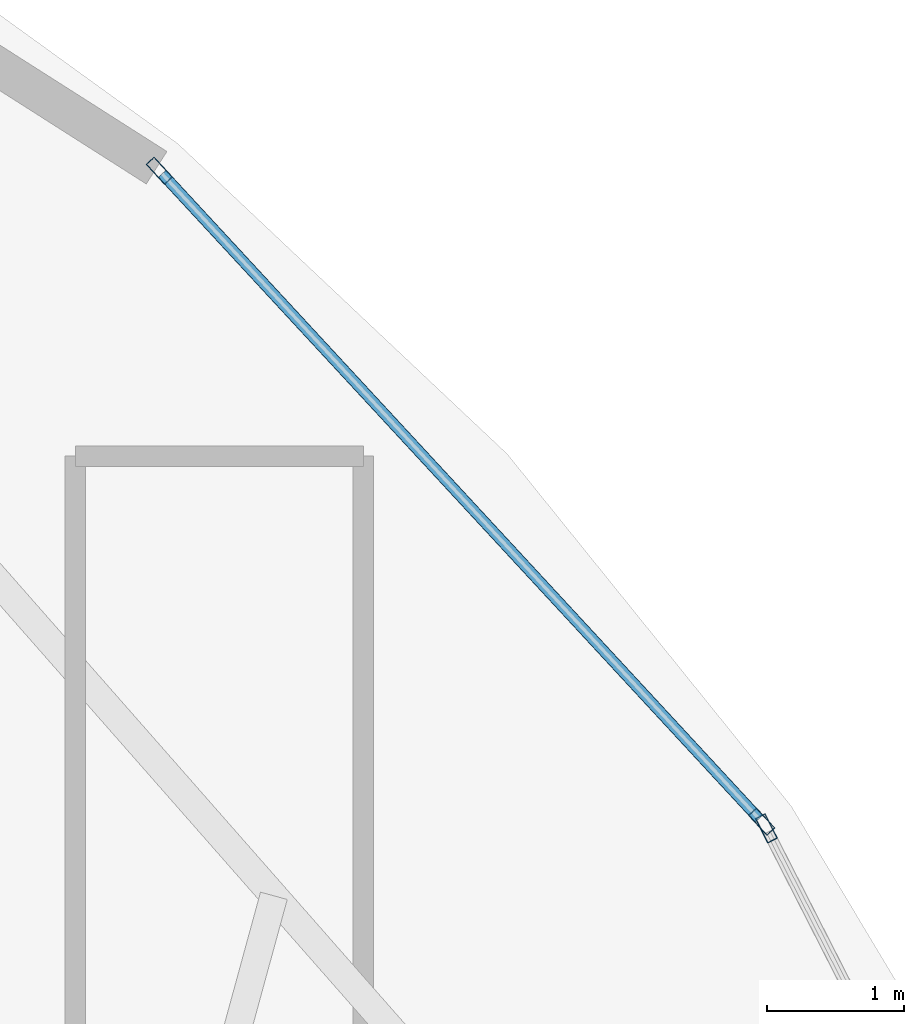
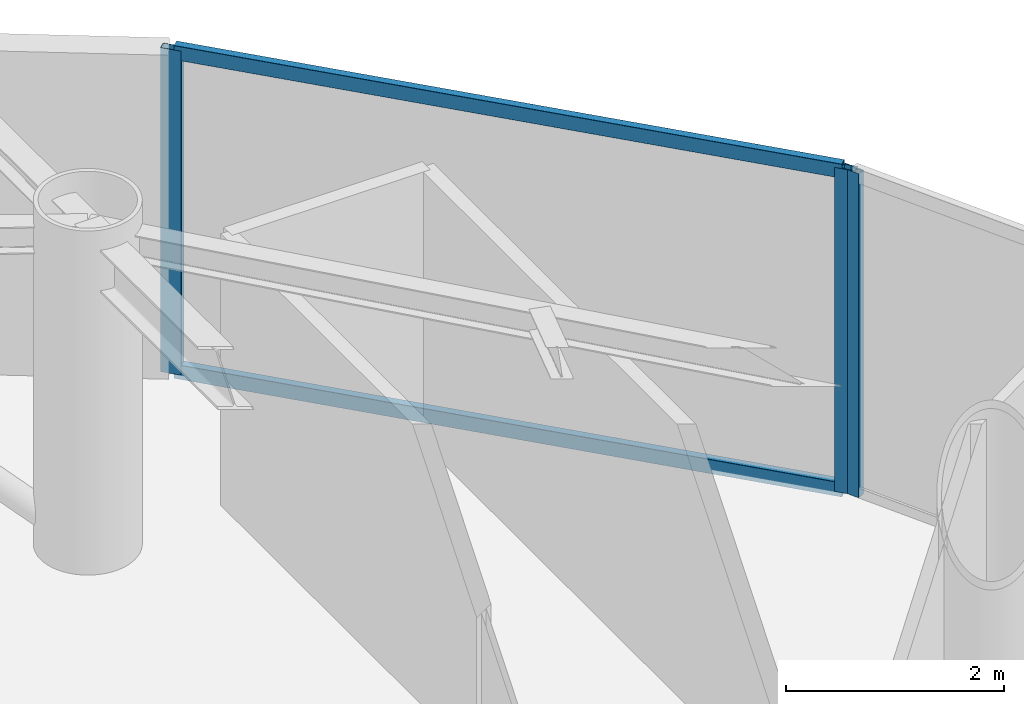
# One storey, part 15 of 22: 5 members, 2 elements without a shape of their own.
"""IFC4 building model written with IfcOpenShell, lengths in metres."""

from ifc_helpers import new_model, si_unit, direction, frame, origin, origin_2d, place, context, subcontext, project, spatial, hollow_rectangle, extrude, material, layer, layer_set, material_profile, profile_set, type_object, element, aggregate, save


model = new_model("IFC4")

# Units and contexts
model_context = context("Model", 3, precision=1e-05, world=origin(), true_north=direction((0.0, 1.0)))
body_context = subcontext(model_context, "Body", "Model", "MODEL_VIEW")
ifc_project = project(units=[si_unit("LENGTHUNIT", "METRE"), si_unit("AREAUNIT", "SQUARE_METRE"), si_unit("VOLUMEUNIT", "CUBIC_METRE"), si_unit("PLANEANGLEUNIT", "RADIAN"), si_unit("MASSUNIT", "GRAM", prefix="KILO")], contexts=[model_context])

# Site, building, storey
site_placement = place(None, origin())
site = spatial("IfcSite", under=ifc_project, at=site_placement, CompositionType="ELEMENT")
building_placement = place(site_placement, origin())
building = spatial("IfcBuilding", under=site, at=building_placement, Name="Bramvorn Convention Spire", CompositionType="ELEMENT")
storey_placement = place(building_placement, frame((0.0, 0.0, 253.60009765625)))
storey = spatial("IfcBuildingStorey", under=building, at=storey_placement, Name="L64", CompositionType="ELEMENT", Elevation=253.60009765625)

# Curtain wall, member
ifc_material_1 = material(Name="Anodised Bronze Unitised Curtain Wall", Category="aluminium")
ifc_layer = layer(ifc_material_1, 0.179931640625)
ifc_layer_set = layer_set([ifc_layer], Name="Anodised Bronze Unitised Curtain Wall - CW-OFF-FRIT")
curtain_wall_type = type_object("IfcCurtainWallType", Name="CW-OFF-FRIT", PredefinedType="USERDEFINED", material=ifc_layer_set)
curtain_wall_1_placement = place(storey_placement, origin())
curtain_wall_1 = element("IfcCurtainWall", 1, at=curtain_wall_1_placement, inside=storey, type_object=curtain_wall_type, Name="L64 fritted glass curtain wall 06", ObjectType="UNITISED CURTAIN WALL", PredefinedType="USERDEFINED")
ifc_material_2 = material(Name="Anodised Bronze Aluminium 6063-T6", Category="aluminium")
ifc_material_profile_1 = material_profile(ifc_material_2, hollow_rectangle(XDim=0.080078125, YDim=0.199951171875, WallThickness=0.00390625, InnerFilletRadius=0.0009765625, OuterFilletRadius=0.00390625, at=origin_2d()))
ifc_profile_set_1 = profile_set([ifc_material_profile_1], Name="Anodised Bronze Aluminium 6063-T6 - CWM80X200")
member_type_1 = type_object("IfcMemberType", Name="CW-MUL-180", PredefinedType="MULLION", material=ifc_profile_set_1)
member_1_placement = place(storey_placement, frame((54.138916015625, 38.685546875, 0.0), z_axis=(0.0, 0.0, 1.0), x_axis=(0.890856910511, 0.45428401358, 0.0)))
member_1 = element("IfcMember", 2, at=member_1_placement, type_object=member_type_1, Name="CW3 mullion 1", PredefinedType="MULLION", context=body_context, shape_type="SweptSolid", body=[
    extrude(hollow_rectangle(XDim=0.080078125, YDim=0.199951171875, WallThickness=0.00390625, InnerFilletRadius=0.0009765625, OuterFilletRadius=0.00390625, at=origin_2d()), origin(), (0.0, 0.0, 1.0), 3.625),
])
aggregate(curtain_wall_1, [member_1])

# Curtain wall, members
curtain_wall_2_placement = place(storey_placement, origin())
curtain_wall_2 = element("IfcCurtainWall", 3, at=curtain_wall_2_placement, inside=storey, type_object=curtain_wall_type, Name="L64 fritted glass curtain wall 07", ObjectType="UNITISED CURTAIN WALL", PredefinedType="USERDEFINED")
member_2_placement = place(storey_placement, frame((49.71240234375, 43.480712890625, 0.0), z_axis=(0.0, 0.0, 1.0), x_axis=(0.733948200999, 0.679205446275, 0.0)))
member_2 = element("IfcMember", 4, at=member_2_placement, type_object=member_type_1, Name="CW3 mullion 1", PredefinedType="MULLION", context=body_context, shape_type="SweptSolid", body=[
    extrude(hollow_rectangle(XDim=0.080078125, YDim=0.199951171875, WallThickness=0.00390625, InnerFilletRadius=0.0009765625, OuterFilletRadius=0.00390625, at=origin_2d()), origin(), (0.0, 0.0, 1.0), 3.625),
])
member_3_placement = place(storey_placement, frame((54.104736328125, 38.734375, 0.0), z_axis=(0.0, 0.0, 1.0), x_axis=(0.733948200999, 0.679205446275, 0.0)))
member_3 = element("IfcMember", 5, at=member_3_placement, type_object=member_type_1, Name="CW3 mullion 2", PredefinedType="MULLION", context=body_context, shape_type="SweptSolid", body=[
    extrude(hollow_rectangle(XDim=0.080078125, YDim=0.199951171875, WallThickness=0.00390625, InnerFilletRadius=0.0009765625, OuterFilletRadius=0.00390625, at=origin_2d()), origin(), (0.0, 0.0, 1.0), 3.625),
])
ifc_material_profile_2 = material_profile(ifc_material_2, hollow_rectangle(XDim=0.080078125, YDim=0.159912109375, WallThickness=0.00390625, InnerFilletRadius=0.0009765625, OuterFilletRadius=0.00390625, at=origin_2d()))
ifc_profile_set_2 = profile_set([ifc_material_profile_2], Name="Anodised Bronze Aluminium 6063-T6 - CWT80X160")
member_type_2 = type_object("IfcMemberType", Name="CW-TRN-150", PredefinedType="USERDEFINED", material=ifc_profile_set_2)
member_4_placement = place(storey_placement, frame((49.73291015625, 43.458740234375, 0.02978515625), z_axis=(0.679197521145, -0.733955534941, 0.0), x_axis=(0.733955534941, 0.679197521145, 0.0)))
member_4 = element("IfcMember", 6, at=member_4_placement, type_object=member_type_2, Name="CW3 transom 1.1", ObjectType="TRANSOM", PredefinedType="USERDEFINED", context=body_context, shape_type="SweptSolid", body=[
    extrude(hollow_rectangle(XDim=0.080078125, YDim=0.159912109375, WallThickness=0.00390625, InnerFilletRadius=0.0009765625, OuterFilletRadius=0.00390625, at=origin_2d()), origin(), (0.0, 0.0, 1.0), 6.406982421875),
])
member_5_placement = place(storey_placement, frame((49.73291015625, 43.458740234375, 3.594970703125), z_axis=(0.679197521145, -0.733955534941, 0.0), x_axis=(0.733955534941, 0.679197521145, 0.0)))
member_5 = element("IfcMember", 7, at=member_5_placement, type_object=member_type_2, Name="CW3 transom 1.2", ObjectType="TRANSOM", PredefinedType="USERDEFINED", context=body_context, shape_type="SweptSolid", body=[
    extrude(hollow_rectangle(XDim=0.080078125, YDim=0.159912109375, WallThickness=0.00390625, InnerFilletRadius=0.0009765625, OuterFilletRadius=0.00390625, at=origin_2d()), origin(), (0.0, 0.0, 1.0), 6.406982421875),
])
aggregate(curtain_wall_2, [member_2, member_3, member_4, member_5])

save(model, "model.ifc")
